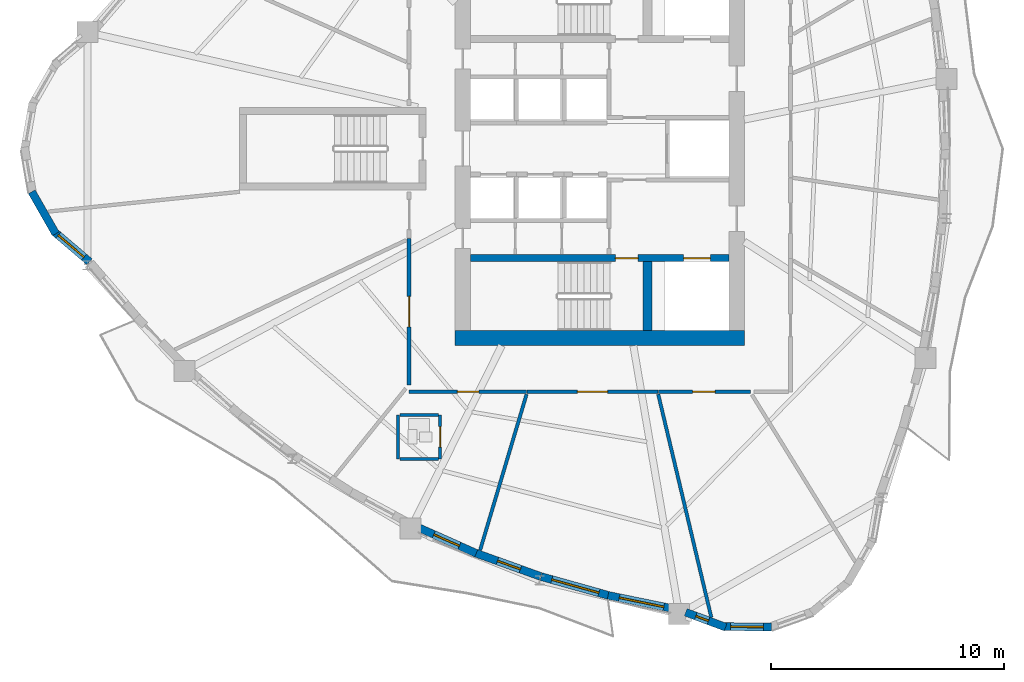
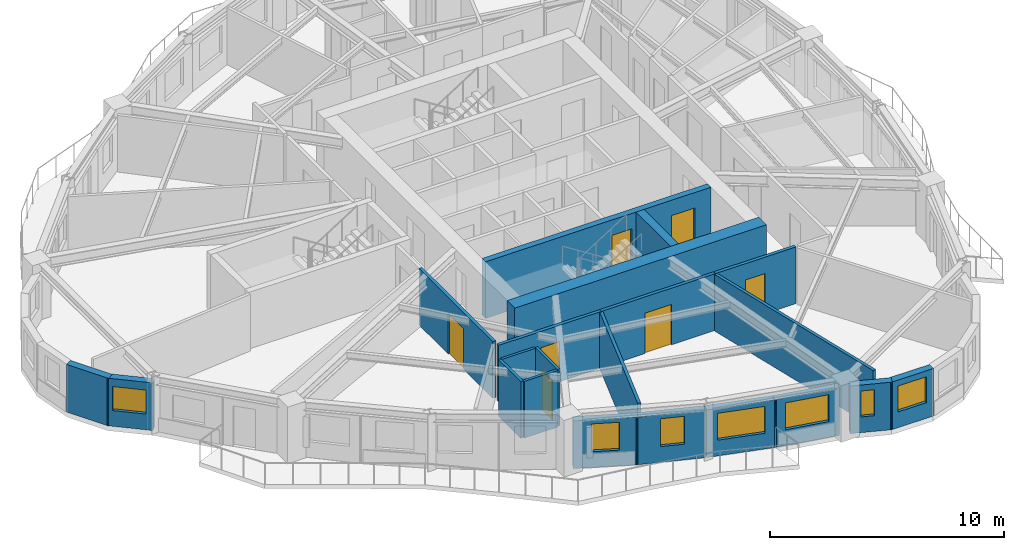
# One storey, part 3 of 12: 21 walls, 7 doors, 7 windows, 14 openings.
"""IFC4 building model written with IfcOpenShell, lengths in metres."""

from ifc_helpers import new_model, si_unit, direction, frame, frame_2d, origin, place, context, subcontext, project, spatial, rectangle, extrude, source, transform, mapped, material, layer, layer_set, type_object, element, fill, save


model = new_model("IFC4")

# Units and contexts
model_context = context("Model", 3, precision=1e-05, world=origin(), true_north=direction((0.0, 1.0)))
body_context = subcontext(model_context, "Body", "Model", "MODEL_VIEW")
ifc_project = project(units=[si_unit("LENGTHUNIT", "METRE"), si_unit("AREAUNIT", "SQUARE_METRE"), si_unit("VOLUMEUNIT", "CUBIC_METRE"), si_unit("PLANEANGLEUNIT", "RADIAN"), si_unit("MASSUNIT", "GRAM", prefix="KILO")], contexts=[model_context])

# Site, building, storey
site_placement = place(None, origin())
site = spatial("IfcSite", under=ifc_project, at=site_placement, CompositionType="ELEMENT")
building_placement = place(site_placement, origin())
building = spatial("IfcBuilding", under=site, at=building_placement, Name="Qafzar Sky-Pleat Residences", CompositionType="ELEMENT")
storey_placement = place(building_placement, frame((0.0, 0.0, 96.0)))
storey = spatial("IfcBuildingStorey", under=building, at=storey_placement, Name="L28", CompositionType="ELEMENT", Elevation=96.0)

# Wall, opening, door
ifc_material_1 = material(Name="Acoustic gypsum plasterboard partition", Category="gypsum")
ifc_layer_1 = layer(ifc_material_1, 0.159912109375)
ifc_layer_set_1 = layer_set([ifc_layer_1], Name="Acoustic gypsum plasterboard partition")
wall_type_1 = type_object("IfcWallType", Name="PART-COR-160", PredefinedType="PARTITIONING", material=ifc_layer_set_1)
wall_1_placement = place(storey_placement, frame((22.169921875, 15.862060546875, 0.0), z_axis=(0.0, 0.0, 1.0), x_axis=(0.0, 1.0, 0.0)))
wall_1 = element("IfcWall", 1, at=wall_1_placement, inside=storey, type_object=wall_type_1, Name="L28 Partition Wall PART-L28-PW-001", PredefinedType="PARTITIONING", context=body_context, shape_type="SweptSolid", body=[
    extrude(rectangle(XDim=6.286865234375, YDim=0.159912109375, at=frame_2d((3.1435546875, 0.0))), origin(), (0.0, 0.0, 1.0), 2.949951171875),
])
opening_1_placement = place(wall_1_placement, frame((2.49755859375, 0.0, 0.0)))
opening_1 = element("IfcOpeningElement", 2, at=opening_1_placement, cuts=wall_1, Name="Opening ID-05", PredefinedType="OPENING", context=body_context, shape_type="SweptSolid", body=[
    extrude(rectangle(XDim=1.300048828125, YDim=2.10009765625, at=frame_2d((0.64990234375, 1.050048828125))), frame((0.0, 0.08984375, 0.0), z_axis=(0.0, -1.0, 0.0), x_axis=(1.0, 0.0, 0.0)), (0.0, 0.0, 1.0), 0.179931640625),
])
ifc_material_2 = material(Name="Timber-faced fire door", Category="wood")
door_type_1 = type_object("IfcDoorType", Name="DR-LNG-1300", OperationType="DOUBLE_DOOR_SINGLE_SWING", PredefinedType="DOOR", material=ifc_material_2)
shared_shape_1 = source(origin(), body_context, "Body", "SweptSolid", [
    extrude(rectangle(XDim=1.300048828125, YDim=2.10009765625, at=frame_2d((0.64990234375, 1.050048828125))), frame((0.0, 0.02490234375, 0.0), z_axis=(0.0, -1.0, 0.0), x_axis=(1.0, 0.0, 0.0)), (0.0, 0.0, 1.0), 0.050048828125),
])
door_1_placement = place(opening_1_placement, origin())
door_1 = element("IfcDoor", 3, at=door_1_placement, inside=storey, type_object=door_type_1, Name="L28 Graduate Lecture Room Door", OperationType="DOUBLE_DOOR_SINGLE_SWING", OverallHeight=2.10009765625, OverallWidth=1.300048828125, PredefinedType="DOOR", context=body_context, shape_type="MappedRepresentation", body=[
    mapped(shared_shape_1, transform((0.0, 0.0, 0.0), x_axis=(1.0, 0.0, 0.0), y_axis=(0.0, 1.0, 0.0), z_axis=(0.0, 0.0, 1.0), scale=1.0)),
])
fill(opening_1, door_1)

wall_2_placement = place(storey_placement, frame((32.847900390625, 15.570068359375, 0.0), z_axis=(0.0, 0.0, 1.0), x_axis=(-1.0, 0.0, 0.0)))
wall_2 = element("IfcWall", 4, at=wall_2_placement, inside=storey, type_object=wall_type_1, Name="L28 Partition Wall PART-L28-PW-003", PredefinedType="PARTITIONING", context=body_context, shape_type="SweptSolid", body=[
    extrude(rectangle(XDim=5.620849609375, YDim=0.159912109375, at=frame_2d((2.810546875, 0.0))), origin(), (0.0, 0.0, 1.0), 2.949951171875),
])
opening_2_placement = place(wall_2_placement, frame((2.160400390625, 0.0, 0.0)))
opening_2 = element("IfcOpeningElement", 5, at=opening_2_placement, cuts=wall_2, Name="Opening ID-05", PredefinedType="OPENING", context=body_context, shape_type="SweptSolid", body=[
    extrude(rectangle(XDim=1.300048828125, YDim=2.10009765625, at=frame_2d((0.64990234375, 1.050048828125))), frame((0.0, 0.08984375, 0.0), z_axis=(0.0, -1.0, 0.0), x_axis=(1.0, 0.0, 0.0)), (0.0, 0.0, 1.0), 0.179931640625),
])
door_2_placement = place(opening_2_placement, origin())
door_2 = element("IfcDoor", 6, at=door_2_placement, inside=storey, type_object=door_type_1, Name="L28 Tutorial Huddle Room Door", OperationType="DOUBLE_DOOR_SINGLE_SWING", OverallHeight=2.10009765625, OverallWidth=1.300048828125, PredefinedType="DOOR", context=body_context, shape_type="MappedRepresentation", body=[
    mapped(shared_shape_1, transform((0.0, 0.0, 0.0), x_axis=(1.0, 0.0, 0.0), y_axis=(0.0, 1.0, 0.0), z_axis=(0.0, 0.0, 1.0), scale=1.0)),
])
fill(opening_2, door_2)

wall_3_placement = place(storey_placement, frame((27.2119140625, 15.570068359375, 0.0), z_axis=(0.0, 0.0, 1.0), x_axis=(-1.0, 0.0, 0.0)))
wall_3 = element("IfcWall", 7, at=wall_3_placement, inside=storey, type_object=wall_type_1, Name="L28 Partition Wall PART-L28-PW-004", PredefinedType="PARTITIONING", context=body_context, shape_type="SweptSolid", body=[
    extrude(rectangle(XDim=5.0419921875, YDim=0.159912109375, at=frame_2d((2.52099609375, 0.0))), origin(), (0.0, 0.0, 1.0), 2.949951171875),
])
opening_3_placement = place(wall_3_placement, frame((2.0458984375, 0.0, 0.0)))
opening_3 = element("IfcOpeningElement", 8, at=opening_3_placement, cuts=wall_3, Name="Opening ID-04", PredefinedType="OPENING", context=body_context, shape_type="SweptSolid", body=[
    extrude(rectangle(XDim=0.919921875, YDim=2.10009765625, at=frame_2d((0.4599609375, 1.050048828125))), frame((0.0, 0.08984375, 0.0), z_axis=(0.0, -1.0, 0.0), x_axis=(1.0, 0.0, 0.0)), (0.0, 0.0, 1.0), 0.179931640625),
])
door_type_2 = type_object("IfcDoorType", Name="DR-BED-920", OperationType="NOTDEFINED", PredefinedType="DOOR", material=ifc_material_2)
shared_shape_2 = source(origin(), body_context, "Body", "SweptSolid", [
    extrude(rectangle(XDim=0.919921875, YDim=2.10009765625, at=frame_2d((0.4599609375, 1.050048828125))), frame((0.0, 0.02490234375, 0.0), z_axis=(0.0, -1.0, 0.0), x_axis=(1.0, 0.0, 0.0)), (0.0, 0.0, 1.0), 0.050048828125),
])
door_3_placement = place(opening_3_placement, origin())
door_3 = element("IfcDoor", 9, at=door_3_placement, inside=storey, type_object=door_type_2, Name="L28 Co-Living Bedroom 1 Door", OperationType="SINGLE_SWING_LEFT", OverallHeight=2.10009765625, OverallWidth=0.919921875, PredefinedType="DOOR", context=body_context, shape_type="MappedRepresentation", body=[
    mapped(shared_shape_2, transform((0.0, 0.0, 0.0), x_axis=(1.0, 0.0, 0.0), y_axis=(0.0, 1.0, 0.0), z_axis=(0.0, 0.0, 1.0), scale=1.0)),
])
fill(opening_3, door_3)

wall_4_placement = place(storey_placement, frame((36.819091796875, 15.570068359375, 0.0), z_axis=(0.0, 0.0, 1.0), x_axis=(-1.0, 0.0, 0.0)))
wall_4 = element("IfcWall", 10, at=wall_4_placement, inside=storey, type_object=wall_type_1, Name="L28 Partition Wall PART-L28-PW-007", PredefinedType="PARTITIONING", context=body_context, shape_type="SweptSolid", body=[
    extrude(rectangle(XDim=3.9560546875, YDim=0.159912109375, at=frame_2d((1.97802734375, 0.0))), origin(), (0.0, 0.0, 1.0), 2.949951171875),
])
opening_4_placement = place(wall_4_placement, frame((1.52197265625, 0.0, 0.0)))
opening_4 = element("IfcOpeningElement", 11, at=opening_4_placement, cuts=wall_4, Name="Opening ID-06", PredefinedType="OPENING", context=body_context, shape_type="SweptSolid", body=[
    extrude(rectangle(XDim=0.9599609375, YDim=2.10009765625, at=frame_2d((0.47998046875, 1.050048828125))), frame((0.0, 0.08984375, 0.0), z_axis=(0.0, -1.0, 0.0), x_axis=(1.0, 0.0, 0.0)), (0.0, 0.0, 1.0), 0.179931640625),
])
door_type_3 = type_object("IfcDoorType", Name="DR-STD-960", OperationType="NOTDEFINED", PredefinedType="DOOR", material=ifc_material_2)
shared_shape_3 = source(origin(), body_context, "Body", "SweptSolid", [
    extrude(rectangle(XDim=0.9599609375, YDim=2.10009765625, at=frame_2d((0.47998046875, 1.050048828125))), frame((0.0, 0.02490234375, 0.0), z_axis=(0.0, -1.0, 0.0), x_axis=(1.0, 0.0, 0.0)), (0.0, 0.0, 1.0), 0.050048828125),
])
door_4_placement = place(opening_4_placement, origin())
door_4 = element("IfcDoor", 12, at=door_4_placement, inside=storey, type_object=door_type_3, Name="L28 Scholar Co-Working Workspace Door", OperationType="SINGLE_SWING_LEFT", OverallHeight=2.10009765625, OverallWidth=0.9599609375, PredefinedType="DOOR", context=body_context, shape_type="MappedRepresentation", body=[
    mapped(shared_shape_3, transform((0.0, 0.0, 0.0), x_axis=(1.0, 0.0, 0.0), y_axis=(0.0, 1.0, 0.0), z_axis=(0.0, 0.0, 1.0), scale=1.0)),
])
fill(opening_4, door_4)

# Walls
ifc_layer_2 = layer(ifc_material_1, 0.14501953125)
ifc_layer_set_2 = layer_set([ifc_layer_2], Name="Acoustic gypsum plasterboard partition")
wall_type_2 = type_object("IfcWallType", Name="PART-UNIT-145", PredefinedType="PARTITIONING", material=ifc_layer_set_2)
wall_5_placement = place(storey_placement, frame((32.85791015625, 15.46533203125, 0.0), z_axis=(0.0, 0.0, 1.0), x_axis=(0.231516552249, -0.97283096478, 0.0)))
element("IfcWall", 13, at=wall_5_placement, inside=storey, type_object=wall_type_2, Name="L28 Partition Wall PART-L28-PW-024", PredefinedType="PARTITIONING", context=body_context, shape_type="SweptSolid", body=[
    extrude(rectangle(XDim=9.8408203125, YDim=0.14501953125, at=frame_2d((4.92041015625, 0.0))), origin(), (0.0, 0.0, 1.0), 2.949951171875),
])
wall_6_placement = place(storey_placement, frame((25.21728515625, 8.774169921875, 0.0), z_axis=(0.0, 0.0, 1.0), x_axis=(0.28553060174, 0.958369592313, 0.0)))
element("IfcWall", 14, at=wall_6_placement, inside=storey, type_object=wall_type_2, Name="L28 Partition Wall PART-L28-PW-030", PredefinedType="PARTITIONING", context=body_context, shape_type="SweptSolid", body=[
    extrude(rectangle(XDim=6.97802734375, YDim=0.14501953125, at=frame_2d((3.489013671875, 0.0))), origin(), (0.0, 0.0, 1.0), 2.949951171875),
])

# Wall, opening, door
ifc_material_3 = material(Name="Moisture-resistant gypsum partition", Category="gypsum")
ifc_layer_3 = layer(ifc_material_3, 0.1298828125)
ifc_layer_set_3 = layer_set([ifc_layer_3], Name="Moisture-resistant gypsum partition")
wall_type_3 = type_object("IfcWallType", Name="PART-WET-130", PredefinedType="PARTITIONING", material=ifc_layer_set_3)
wall_7_placement = place(storey_placement, frame((23.5029296875, 12.68310546875, 0.0), z_axis=(0.0, 0.0, 1.0), x_axis=(0.0, 1.0, 0.0)))
wall_7 = element("IfcWall", 15, at=wall_7_placement, inside=storey, type_object=wall_type_3, Name="L28 Partition Wall PART-L28-PW-015", PredefinedType="PARTITIONING", context=body_context, shape_type="SweptSolid", body=[
    extrude(rectangle(XDim=1.89990234375, YDim=0.1298828125, at=frame_2d((0.949951171875, 0.0))), origin(), (0.0, 0.0, 1.0), 2.949951171875),
])
opening_5_placement = place(wall_7_placement, frame((0.510009765625, 0.0, 0.0)))
opening_5 = element("IfcOpeningElement", 16, at=opening_5_placement, cuts=wall_7, Name="Opening ID-07", PredefinedType="OPENING", context=body_context, shape_type="SweptSolid", body=[
    extrude(rectangle(XDim=0.8798828125, YDim=2.050048828125, at=frame_2d((0.43994140625, 1.02490234375))), frame((0.0, 0.074951171875, 0.0), z_axis=(0.0, -1.0, 0.0), x_axis=(1.0, 0.0, 0.0)), (0.0, 0.0, 1.0), 0.14990234375),
])
door_type_4 = type_object("IfcDoorType", Name="DR-WET-880", OperationType="NOTDEFINED", PredefinedType="DOOR", material=ifc_material_2)
shared_shape_4 = source(origin(), body_context, "Body", "SweptSolid", [
    extrude(rectangle(XDim=0.8798828125, YDim=2.050048828125, at=frame_2d((0.43994140625, 1.02490234375))), frame((0.0, 0.02490234375, 0.0), z_axis=(0.0, -1.0, 0.0), x_axis=(1.0, 0.0, 0.0)), (0.0, 0.0, 1.0), 0.050048828125),
])
door_5_placement = place(opening_5_placement, origin())
door_5 = element("IfcDoor", 17, at=door_5_placement, inside=storey, type_object=door_type_4, Name="L28 En-suite Bathroom 1 Door", OperationType="SINGLE_SWING_LEFT", OverallHeight=2.050048828125, OverallWidth=0.8798828125, PredefinedType="DOOR", context=body_context, shape_type="MappedRepresentation", body=[
    mapped(shared_shape_4, transform((0.0, 0.0, 0.0), x_axis=(1.0, 0.0, 0.0), y_axis=(0.0, 1.0, 0.0), z_axis=(0.0, 0.0, 1.0), scale=1.0)),
])
fill(opening_5, door_5)

# Walls
wall_8_placement = place(storey_placement, frame((21.702880859375, 12.68310546875, 0.0), z_axis=(0.0, 0.0, 1.0), x_axis=(0.0, 1.0, 0.0)))
element("IfcWall", 18, at=wall_8_placement, inside=storey, type_object=wall_type_3, Name="L28 Partition Wall PART-L28-PW-042", PredefinedType="PARTITIONING", context=body_context, shape_type="SweptSolid", body=[
    extrude(rectangle(XDim=1.89990234375, YDim=0.1298828125, at=frame_2d((0.949951171875, 0.0))), origin(), (0.0, 0.0, 1.0), 2.949951171875),
])
for number, where, z_axis, x_axis, name in (
    (19, (21.77587890625, 14.5830078125, 0.0), (0.0, 0.0, 1.0), (1.0, 0.0, 0.0), "L28 Partition Wall PART-L28-PW-046"),
    (20, (21.77587890625, 12.68310546875, 0.0), (0.0, 0.0, 1.0), (1.0, 0.0, 0.0), "L28 Partition Wall PART-L28-PW-047"),
):
    element("IfcWall", number, at=place(storey_placement, frame(where, z_axis=z_axis, x_axis=x_axis)), inside=storey, type_object=wall_type_3, Name=name, PredefinedType="PARTITIONING", context=body_context, shape_type="SweptSolid", body=[
        extrude(rectangle(XDim=1.654052734375, YDim=0.1298828125, at=frame_2d((0.8271484375, 0.0))), origin(), (0.0, 0.0, 1.0), 2.949951171875),
    ])
ifc_material_4 = material(Name="Precast concrete C40/50 with honed Riyadh limestone", Category="concrete")
ifc_layer_4 = layer(ifc_material_4, 0.340087890625)
ifc_layer_set_4 = layer_set([ifc_layer_4], Name="Precast concrete C40/50 with honed Riyadh limestone")
wall_type_4 = type_object("IfcWallType", Name="WALL-EXT-340", PredefinedType="SOLIDWALL", material=ifc_layer_set_4)
wall_9_placement = place(storey_placement, frame((5.983154296875, 24.150146484375, 0.0), z_axis=(0.0, 0.0, 1.0), x_axis=(0.496037473582, -0.868301114132, 0.0)))
element("IfcWall", 21, at=wall_9_placement, inside=storey, type_object=wall_type_4, Name="L28 Limestone Facade Wall 5", PredefinedType="SOLIDWALL", context=body_context, shape_type="SweptSolid", body=[
    extrude(rectangle(XDim=2.072998046875, YDim=0.340087890625, at=frame_2d((1.03662109375, 0.0))), origin(), (0.0, 0.0, 1.0), 2.47998046875),
])

# Wall, opening, window
wall_10_placement = place(storey_placement, frame((6.92626953125, 22.452880859375, 0.0), z_axis=(0.0, 0.0, 1.0), x_axis=(0.76114353683, -0.648583469063, 0.0)))
wall_10 = element("IfcWall", 22, at=wall_10_placement, inside=storey, type_object=wall_type_4, Name="L28 Limestone Facade Wall 6", PredefinedType="SOLIDWALL", context=body_context, shape_type="SweptSolid", body=[
    extrude(rectangle(XDim=2.014892578125, YDim=0.340087890625, at=frame_2d((1.00732421875, 0.0))), origin(), (0.0, 0.0, 1.0), 2.47998046875),
])
opening_6_placement = place(wall_10_placement, frame((0.25244140625, 0.0, 0.820068359375)))
opening_6 = element("IfcOpeningElement", 23, at=opening_6_placement, cuts=wall_10, Name="Opening WN-15", PredefinedType="OPENING", context=body_context, shape_type="SweptSolid", body=[
    extrude(rectangle(XDim=1.449951171875, YDim=1.25, at=frame_2d((0.72509765625, 0.625))), frame((0.0, 0.18017578125, 0.0), z_axis=(0.0, -1.0, 0.0), x_axis=(1.0, 0.0, 0.0)), (0.0, 0.0, 1.0), 0.360107421875),
])
ifc_material_5 = material(Name="Solar-control low-E glass in bronze aluminium frame", Category="glass")
window_type_1 = type_object("IfcWindowType", Name="WIN-15", PartitioningType="SINGLE_PANEL", PredefinedType="WINDOW", material=ifc_material_5)
shared_shape_5 = source(origin(), body_context, "Body", "SweptSolid", [
    extrude(rectangle(XDim=1.449951171875, YDim=1.25, at=frame_2d((0.72509765625, 0.625))), frame((0.0, 0.030029296875, 0.0), z_axis=(0.0, -1.0, 0.0), x_axis=(1.0, 0.0, 0.0)), (0.0, 0.0, 1.0), 0.06005859375),
])
window_1_placement = place(opening_6_placement, origin())
window_1 = element("IfcWindow", 24, at=window_1_placement, inside=storey, type_object=window_type_1, Name="L28 Punched Facade Window 06", OverallHeight=1.25, OverallWidth=1.449951171875, PartitioningType="SINGLE_PANEL", PredefinedType="WINDOW", context=body_context, shape_type="MappedRepresentation", body=[
    mapped(shared_shape_5, transform((0.0, 0.0, 0.0), x_axis=(1.0, 0.0, 0.0), y_axis=(0.0, 1.0, 0.0), z_axis=(0.0, 0.0, 1.0), scale=1.0)),
])
fill(opening_6, window_1)

wall_11_placement = place(storey_placement, frame((22.515625, 9.7666015625, 0.0), z_axis=(0.0, 0.0, 1.0), x_axis=(0.9134265589, -0.407003589046, 0.0)))
wall_11 = element("IfcWall", 25, at=wall_11_placement, inside=storey, type_object=wall_type_4, Name="L28 Limestone Facade Wall 13", PredefinedType="SOLIDWALL", context=body_context, shape_type="SweptSolid", body=[
    extrude(rectangle(XDim=2.77490234375, YDim=0.340087890625, at=frame_2d((1.387451171875, 0.0))), origin(), (0.0, 0.0, 1.0), 2.47998046875),
])
opening_7_placement = place(wall_11_placement, frame((0.782470703125, 0.0, 0.820068359375)))
opening_7 = element("IfcOpeningElement", 26, at=opening_7_placement, cuts=wall_11, Name="Opening WN-05", PredefinedType="OPENING", context=body_context, shape_type="SweptSolid", body=[
    extrude(rectangle(XDim=1.199951171875, YDim=1.449951171875, at=frame_2d((0.60009765625, 0.72509765625))), frame((0.0, 0.18017578125, 0.0), z_axis=(0.0, -1.0, 0.0), x_axis=(1.0, 0.0, 0.0)), (0.0, 0.0, 1.0), 0.360107421875),
])
window_type_2 = type_object("IfcWindowType", Name="WIN-05", PartitioningType="SINGLE_PANEL", PredefinedType="WINDOW", material=ifc_material_5)
shared_shape_6 = source(origin(), body_context, "Body", "SweptSolid", [
    extrude(rectangle(XDim=1.199951171875, YDim=1.449951171875, at=frame_2d((0.60009765625, 0.72509765625))), frame((0.0, 0.030029296875, 0.0), z_axis=(0.0, -1.0, 0.0), x_axis=(1.0, 0.0, 0.0)), (0.0, 0.0, 1.0), 0.06005859375),
])
window_2_placement = place(opening_7_placement, origin())
window_2 = element("IfcWindow", 27, at=window_2_placement, inside=storey, type_object=window_type_2, Name="L28 Punched Facade Window 13", OverallHeight=1.449951171875, OverallWidth=1.199951171875, PartitioningType="SINGLE_PANEL", PredefinedType="WINDOW", context=body_context, shape_type="MappedRepresentation", body=[
    mapped(shared_shape_6, transform((0.0, 0.0, 0.0), x_axis=(1.0, 0.0, 0.0), y_axis=(0.0, 1.0, 0.0), z_axis=(0.0, 0.0, 1.0), scale=1.0)),
])
fill(opening_7, window_2)

wall_12_placement = place(storey_placement, frame((24.968017578125, 8.670166015625, 0.0), z_axis=(0.0, 0.0, 1.0), x_axis=(0.941101658803, -0.33812374628, 0.0)))
wall_12 = element("IfcWall", 28, at=wall_12_placement, inside=storey, type_object=wall_type_4, Name="L28 Limestone Facade Wall 14", PredefinedType="SOLIDWALL", context=body_context, shape_type="SweptSolid", body=[
    extrude(rectangle(XDim=3.018798828125, YDim=0.340087890625, at=frame_2d((1.50927734375, 0.0))), origin(), (0.0, 0.0, 1.0), 2.47998046875),
])
opening_8_placement = place(wall_12_placement, frame((1.0546875, 0.0, 0.820068359375)))
opening_8 = element("IfcOpeningElement", 29, at=opening_8_placement, cuts=wall_12, Name="Opening WN-06", PredefinedType="OPENING", context=body_context, shape_type="SweptSolid", body=[
    extrude(rectangle(XDim=1.050048828125, YDim=1.449951171875, at=frame_2d((0.52490234375, 0.72509765625))), frame((0.0, 0.18017578125, 0.0), z_axis=(0.0, -1.0, 0.0), x_axis=(1.0, 0.0, 0.0)), (0.0, 0.0, 1.0), 0.360107421875),
])
window_type_3 = type_object("IfcWindowType", Name="WIN-06", PartitioningType="SINGLE_PANEL", PredefinedType="WINDOW", material=ifc_material_5)
shared_shape_7 = source(origin(), body_context, "Body", "SweptSolid", [
    extrude(rectangle(XDim=1.050048828125, YDim=1.449951171875, at=frame_2d((0.52490234375, 0.72509765625))), frame((0.0, 0.030029296875, 0.0), z_axis=(0.0, -1.0, 0.0), x_axis=(1.0, 0.0, 0.0)), (0.0, 0.0, 1.0), 0.06005859375),
])
window_3_placement = place(opening_8_placement, origin())
window_3 = element("IfcWindow", 30, at=window_3_placement, inside=storey, type_object=window_type_3, Name="L28 Punched Facade Window 14", OverallHeight=1.449951171875, OverallWidth=1.050048828125, PartitioningType="SINGLE_PANEL", PredefinedType="WINDOW", context=body_context, shape_type="MappedRepresentation", body=[
    mapped(shared_shape_7, transform((0.0, 0.0, 0.0), x_axis=(1.0, 0.0, 0.0), y_axis=(0.0, 1.0, 0.0), z_axis=(0.0, 0.0, 1.0), scale=1.0)),
])
fill(opening_8, window_3)

wall_13_placement = place(storey_placement, frame((27.835205078125, 7.64111328125, 0.0), z_axis=(0.0, 0.0, 1.0), x_axis=(0.963049084537, -0.269325937802, 0.0)))
wall_13 = element("IfcWall", 31, at=wall_13_placement, inside=storey, type_object=wall_type_4, Name="L28 Limestone Facade Wall 15", PredefinedType="SOLIDWALL", context=body_context, shape_type="SweptSolid", body=[
    extrude(rectangle(XDim=3.068359375, YDim=0.340087890625, at=frame_2d((1.5341796875, 0.0))), origin(), (0.0, 0.0, 1.0), 2.47998046875),
])
opening_9_placement = place(wall_13_placement, frame((0.47412109375, 0.0, 0.820068359375)))
opening_9 = element("IfcOpeningElement", 32, at=opening_9_placement, cuts=wall_13, Name="Opening WN-07", PredefinedType="OPENING", context=body_context, shape_type="SweptSolid", body=[
    extrude(rectangle(XDim=2.10009765625, YDim=1.39990234375, at=frame_2d((1.050048828125, 0.699951171875))), frame((0.0, 0.18017578125, 0.0), z_axis=(0.0, -1.0, 0.0), x_axis=(1.0, 0.0, 0.0)), (0.0, 0.0, 1.0), 0.360107421875),
])
window_type_4 = type_object("IfcWindowType", Name="WIN-07", PartitioningType="DOUBLE_PANEL_VERTICAL", PredefinedType="WINDOW", material=ifc_material_5)
shared_shape_8 = source(origin(), body_context, "Body", "SweptSolid", [
    extrude(rectangle(XDim=2.10009765625, YDim=1.39990234375, at=frame_2d((1.050048828125, 0.699951171875))), frame((0.0, 0.030029296875, 0.0), z_axis=(0.0, -1.0, 0.0), x_axis=(1.0, 0.0, 0.0)), (0.0, 0.0, 1.0), 0.06005859375),
])
window_4_placement = place(opening_9_placement, origin())
window_4 = element("IfcWindow", 33, at=window_4_placement, inside=storey, type_object=window_type_4, Name="L28 Punched Facade Window 15", OverallHeight=1.39990234375, OverallWidth=2.10009765625, PartitioningType="SINGLE_PANEL", PredefinedType="WINDOW", context=body_context, shape_type="MappedRepresentation", body=[
    mapped(shared_shape_8, transform((0.0, 0.0, 0.0), x_axis=(1.0, 0.0, 0.0), y_axis=(0.0, 1.0, 0.0), z_axis=(0.0, 0.0, 1.0), scale=1.0)),
])
fill(opening_9, window_4)

wall_14_placement = place(storey_placement, frame((30.705078125, 6.835205078125, 0.0), z_axis=(0.0, 0.0, 1.0), x_axis=(0.979433750273, -0.201766024954, 0.0)))
wall_14 = element("IfcWall", 34, at=wall_14_placement, inside=storey, type_object=wall_type_4, Name="L28 Limestone Facade Wall 16", PredefinedType="SOLIDWALL", context=body_context, shape_type="SweptSolid", body=[
    extrude(rectangle(XDim=2.92333984375, YDim=0.340087890625, at=frame_2d((1.461669921875, 0.0))), origin(), (0.0, 0.0, 1.0), 2.47998046875),
])
opening_10_placement = place(wall_14_placement, frame((0.49169921875, 0.0, 0.820068359375)))
opening_10 = element("IfcOpeningElement", 35, at=opening_10_placement, cuts=wall_14, Name="Opening WN-08", PredefinedType="OPENING", context=body_context, shape_type="SweptSolid", body=[
    extrude(rectangle(XDim=1.949951171875, YDim=1.39990234375, at=frame_2d((0.97509765625, 0.699951171875))), frame((0.0, 0.18017578125, 0.0), z_axis=(0.0, -1.0, 0.0), x_axis=(1.0, 0.0, 0.0)), (0.0, 0.0, 1.0), 0.360107421875),
])
window_type_5 = type_object("IfcWindowType", Name="WIN-08", PartitioningType="DOUBLE_PANEL_VERTICAL", PredefinedType="WINDOW", material=ifc_material_5)
shared_shape_9 = source(origin(), body_context, "Body", "SweptSolid", [
    extrude(rectangle(XDim=1.949951171875, YDim=1.39990234375, at=frame_2d((0.97509765625, 0.699951171875))), frame((0.0, 0.030029296875, 0.0), z_axis=(0.0, -1.0, 0.0), x_axis=(1.0, 0.0, 0.0)), (0.0, 0.0, 1.0), 0.06005859375),
])
window_5_placement = place(opening_10_placement, origin())
window_5 = element("IfcWindow", 36, at=window_5_placement, inside=storey, type_object=window_type_5, Name="L28 Punched Facade Window 16", OverallHeight=1.39990234375, OverallWidth=1.949951171875, PartitioningType="SINGLE_PANEL", PredefinedType="WINDOW", context=body_context, shape_type="MappedRepresentation", body=[
    mapped(shared_shape_9, transform((0.0, 0.0, 0.0), x_axis=(1.0, 0.0, 0.0), y_axis=(0.0, 1.0, 0.0), z_axis=(0.0, 0.0, 1.0), scale=1.0)),
])
fill(opening_10, window_5)

wall_15_placement = place(storey_placement, frame((34.0341796875, 6.111328125, 0.0), z_axis=(0.0, 0.0, 1.0), x_axis=(0.936815884802, -0.349822809409, 0.0)))
wall_15 = element("IfcWall", 37, at=wall_15_placement, inside=storey, type_object=wall_type_4, Name="L28 Limestone Facade Wall 17", PredefinedType="SOLIDWALL", context=body_context, shape_type="SweptSolid", body=[
    extrude(rectangle(XDim=1.831298828125, YDim=0.340087890625, at=frame_2d((0.91552734375, 0.0))), origin(), (0.0, 0.0, 1.0), 2.47998046875),
])
opening_11_placement = place(wall_15_placement, frame((0.46630859375, 0.0, 0.820068359375)))
opening_11 = element("IfcOpeningElement", 38, at=opening_11_placement, cuts=wall_15, Name="Opening WN-17", PredefinedType="OPENING", context=body_context, shape_type="SweptSolid", body=[
    extrude(rectangle(XDim=0.580078125, YDim=1.35009765625, at=frame_2d((0.2900390625, 0.675048828125))), frame((0.0, 0.18017578125, 0.0), z_axis=(0.0, -1.0, 0.0), x_axis=(1.0, 0.0, 0.0)), (0.0, 0.0, 1.0), 0.360107421875),
])
window_type_6 = type_object("IfcWindowType", Name="WIN-17", PartitioningType="SINGLE_PANEL", PredefinedType="WINDOW", material=ifc_material_5)
shared_shape_10 = source(origin(), body_context, "Body", "SweptSolid", [
    extrude(rectangle(XDim=0.580078125, YDim=1.35009765625, at=frame_2d((0.2900390625, 0.675048828125))), frame((0.0, 0.030029296875, 0.0), z_axis=(0.0, -1.0, 0.0), x_axis=(1.0, 0.0, 0.0)), (0.0, 0.0, 1.0), 0.06005859375),
])
window_6_placement = place(opening_11_placement, origin())
window_6 = element("IfcWindow", 39, at=window_6_placement, inside=storey, type_object=window_type_6, Name="L28 Punched Facade Window 17", OverallHeight=1.35009765625, OverallWidth=0.580078125, PartitioningType="SINGLE_PANEL", PredefinedType="WINDOW", context=body_context, shape_type="MappedRepresentation", body=[
    mapped(shared_shape_10, transform((0.0, 0.0, 0.0), x_axis=(1.0, 0.0, 0.0), y_axis=(0.0, 1.0, 0.0), z_axis=(0.0, 0.0, 1.0), scale=1.0)),
])
fill(opening_11, window_6)

wall_16_placement = place(storey_placement, frame((35.617919921875, 5.4951171875, 0.0), z_axis=(0.0, 0.0, 1.0), x_axis=(0.999976451414, -0.006862697526, 0.0)))
wall_16 = element("IfcWall", 40, at=wall_16_placement, inside=storey, type_object=wall_type_4, Name="L28 Limestone Facade Wall 18", PredefinedType="SOLIDWALL", context=body_context, shape_type="SweptSolid", body=[
    extrude(rectangle(XDim=2.098876953125, YDim=0.340087890625, at=frame_2d((1.04931640625, 0.0))), origin(), (0.0, 0.0, 1.0), 2.47998046875),
])
opening_12_placement = place(wall_16_placement, frame((0.349609375, 0.0, 0.820068359375)))
opening_12 = element("IfcOpeningElement", 41, at=opening_12_placement, cuts=wall_16, Name="Opening WN-10", PredefinedType="OPENING", context=body_context, shape_type="SweptSolid", body=[
    extrude(rectangle(XDim=1.39990234375, YDim=1.35009765625, at=frame_2d((0.699951171875, 0.675048828125))), frame((0.0, 0.18017578125, 0.0), z_axis=(0.0, -1.0, 0.0), x_axis=(1.0, 0.0, 0.0)), (0.0, 0.0, 1.0), 0.360107421875),
])
window_type_7 = type_object("IfcWindowType", Name="WIN-10", PartitioningType="SINGLE_PANEL", PredefinedType="WINDOW", material=ifc_material_5)
shared_shape_11 = source(origin(), body_context, "Body", "SweptSolid", [
    extrude(rectangle(XDim=1.39990234375, YDim=1.35009765625, at=frame_2d((0.699951171875, 0.675048828125))), frame((0.0, 0.030029296875, 0.0), z_axis=(0.0, -1.0, 0.0), x_axis=(1.0, 0.0, 0.0)), (0.0, 0.0, 1.0), 0.06005859375),
])
window_7_placement = place(opening_12_placement, origin())
window_7 = element("IfcWindow", 42, at=window_7_placement, inside=storey, type_object=window_type_7, Name="L28 Punched Facade Window 18", OverallHeight=1.35009765625, OverallWidth=1.39990234375, PartitioningType="SINGLE_PANEL", PredefinedType="WINDOW", context=body_context, shape_type="MappedRepresentation", body=[
    mapped(shared_shape_11, transform((0.0, 0.0, 0.0), x_axis=(1.0, 0.0, 0.0), y_axis=(0.0, 1.0, 0.0), z_axis=(0.0, 0.0, 1.0), scale=1.0)),
])
fill(opening_12, window_7)

# Wall, openings, doors
ifc_material_6 = material(Name="Concrete C60/75", Category="concrete")
ifc_layer_5 = layer(ifc_material_6, 0.300048828125)
ifc_layer_set_5 = layer_set([ifc_layer_5], Name="Concrete C60/75")
wall_type_5 = type_object("IfcWallType", Name="WALL-SHEAR-300", PredefinedType="SHEAR", material=ifc_layer_set_5)
wall_17_placement = place(storey_placement, frame((24.800048828125, 21.300048828125, 0.0), z_axis=(0.0, 0.0, 1.0), x_axis=(1.0, 0.0, 0.0)))
wall_17 = element("IfcWall", 43, at=wall_17_placement, inside=storey, type_object=wall_type_5, Name="L28 Stair ST1 and FF1 Shaft North Wall", PredefinedType="SHEAR", context=body_context, shape_type="SweptSolid", body=[
    extrude(rectangle(XDim=11.099853515625, YDim=0.300048828125, at=frame_2d((5.5498046875, 0.0))), origin(), (0.0, 0.0, 1.0), 2.949951171875),
])
opening_13_placement = place(wall_17_placement, frame((6.219970703125, 0.0, 0.0)))
opening_13 = element("IfcOpeningElement", 44, at=opening_13_placement, cuts=wall_17, Name="Opening ID-01", PredefinedType="OPENING", context=body_context, shape_type="SweptSolid", body=[
    extrude(rectangle(XDim=0.97998046875, YDim=2.14990234375, at=frame_2d((0.489990234375, 1.074951171875))), frame((0.0, 0.16015625, 0.0), z_axis=(0.0, -1.0, 0.0), x_axis=(1.0, 0.0, 0.0)), (0.0, 0.0, 1.0), 0.320068359375),
])
opening_14_placement = place(wall_17_placement, frame((9.14990234375, 0.0, 0.0)))
opening_14 = element("IfcOpeningElement", 45, at=opening_14_placement, cuts=wall_17, Name="Opening LD-02", PredefinedType="OPENING", context=body_context, shape_type="SweptSolid", body=[
    extrude(rectangle(XDim=1.14990234375, YDim=2.14990234375, at=frame_2d((0.574951171875, 1.074951171875))), frame((0.0, 0.16015625, 0.0), z_axis=(0.0, -1.0, 0.0), x_axis=(1.0, 0.0, 0.0)), (0.0, 0.0, 1.0), 0.320068359375),
])
door_type_5 = type_object("IfcDoorType", Name="DR-STAIR-980", OperationType="NOTDEFINED", PredefinedType="DOOR", material=ifc_material_2)
shared_shape_12 = source(origin(), body_context, "Body", "SweptSolid", [
    extrude(rectangle(XDim=0.97998046875, YDim=2.14990234375, at=frame_2d((0.489990234375, 1.074951171875))), frame((0.0, 0.02490234375, 0.0), z_axis=(0.0, -1.0, 0.0), x_axis=(1.0, 0.0, 0.0)), (0.0, 0.0, 1.0), 0.050048828125),
])
door_6_placement = place(opening_13_placement, origin())
door_6 = element("IfcDoor", 46, at=door_6_placement, inside=storey, type_object=door_type_5, Name="L28 Stair ST1 Fire Door", OperationType="SINGLE_SWING_LEFT", OverallHeight=2.14990234375, OverallWidth=0.97998046875, PredefinedType="DOOR", context=body_context, shape_type="MappedRepresentation", body=[
    mapped(shared_shape_12, transform((0.0, 0.0, 0.0), x_axis=(1.0, 0.0, 0.0), y_axis=(0.0, 1.0, 0.0), z_axis=(0.0, 0.0, 1.0), scale=1.0)),
])
fill(opening_13, door_6)
ifc_material_7 = material(Name="Stainless steel sliding landing door", Category="steel")
door_type_6 = type_object("IfcDoorType", Name="DR-LIFT-FF", OperationType="DOUBLE_DOOR_SLIDING", PredefinedType="DOOR", material=ifc_material_7)
shared_shape_13 = source(origin(), body_context, "Body", "SweptSolid", [
    extrude(rectangle(XDim=1.14990234375, YDim=2.14990234375, at=frame_2d((0.574951171875, 1.074951171875))), frame((0.0, 0.02490234375, 0.0), z_axis=(0.0, -1.0, 0.0), x_axis=(1.0, 0.0, 0.0)), (0.0, 0.0, 1.0), 0.050048828125),
])
door_7_placement = place(opening_14_placement, origin())
door_7 = element("IfcDoor", 47, at=door_7_placement, inside=storey, type_object=door_type_6, Name="L28 Firefighting Lift FF1 Landing Door", OperationType="DOUBLE_DOOR_SLIDING", OverallHeight=2.14990234375, OverallWidth=1.14990234375, PredefinedType="DOOR", context=body_context, shape_type="MappedRepresentation", body=[
    mapped(shared_shape_13, transform((0.0, 0.0, 0.0), x_axis=(1.0, 0.0, 0.0), y_axis=(0.0, 1.0, 0.0), z_axis=(0.0, 0.0, 1.0), scale=1.0)),
])
fill(opening_14, door_7)

# Walls
ifc_layer_6 = layer(ifc_material_6, 0.39990234375)
ifc_layer_set_6 = layer_set([ifc_layer_6], Name="Concrete C60/75")
wall_type_6 = type_object("IfcWallType", Name="WALL-SHEAR-400", PredefinedType="SHEAR", material=ifc_layer_set_6)
wall_18_placement = place(storey_placement, frame((32.39990234375, 18.199951171875, 0.0), z_axis=(0.0, 0.0, 1.0), x_axis=(0.0, 1.0, 0.0)))
element("IfcWall", 48, at=wall_18_placement, inside=storey, type_object=wall_type_6, Name="L28 Stair ST1 East Dividing Wall", PredefinedType="SHEAR", context=body_context, shape_type="SweptSolid", body=[
    extrude(rectangle(XDim=2.949951171875, YDim=0.39990234375, at=frame_2d((1.47509765625, 0.0))), origin(), (0.0, 0.0, 1.0), 2.949951171875),
])
ifc_layer_7 = layer(ifc_material_6, 0.64990234375)
ifc_layer_set_7 = layer_set([ifc_layer_7], Name="Concrete C60/75")
wall_type_7 = type_object("IfcWallType", Name="WALL-SHEAR-650", PredefinedType="SHEAR", material=ifc_layer_set_7)
wall_19_placement = place(storey_placement, frame((24.14990234375, 17.875, 0.0), z_axis=(0.0, 0.0, 1.0), x_axis=(1.0, 0.0, 0.0)))
element("IfcWall", 49, at=wall_19_placement, inside=storey, type_object=wall_type_7, Name="L28 CORE wall S", PredefinedType="SHEAR", context=body_context, shape_type="SweptSolid", body=[
    extrude(rectangle(XDim=12.400146484375, YDim=0.64990234375, at=frame_2d((6.2001953125, 0.0))), origin(), (0.0, 0.0, 1.0), 2.949951171875),
])

save(model, "model.ifc")
